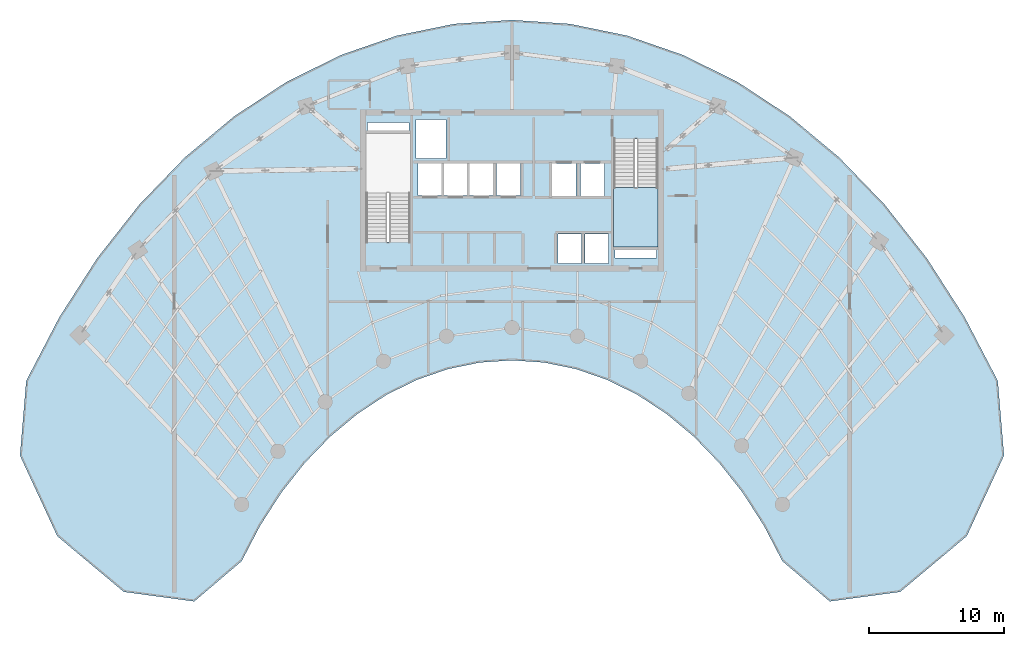
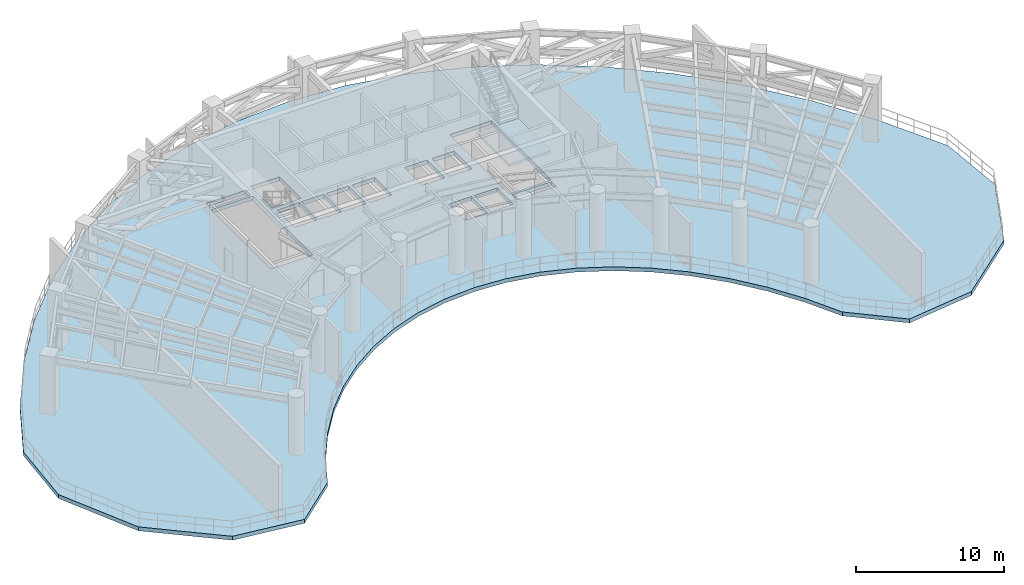
# One storey, part 4 of 19: 2 slabs, 1 element without a shape of its own.
"""IFC4 building model written with IfcOpenShell, lengths in metres."""

from ifc_helpers import new_model, si_unit, direction, frame, origin, place, context, subcontext, project, spatial, polyline, outline, extrude, material, layer, layer_set, type_object, element, aggregate, save


model = new_model("IFC4")

# Units and contexts
model_context = context("Model", 3, precision=1e-05, world=origin(), true_north=direction((0.0, 1.0)))
body_context = subcontext(model_context, "Body", "Model", "MODEL_VIEW")
ifc_project = project(units=[si_unit("LENGTHUNIT", "METRE"), si_unit("AREAUNIT", "SQUARE_METRE"), si_unit("VOLUMEUNIT", "CUBIC_METRE"), si_unit("PLANEANGLEUNIT", "RADIAN"), si_unit("MASSUNIT", "GRAM", prefix="KILO")], contexts=[model_context])

# Site, building, storey
site_placement = place(None, origin())
site = spatial("IfcSite", under=ifc_project, at=site_placement, CompositionType="ELEMENT")
building_placement = place(site_placement, origin())
building = spatial("IfcBuilding", under=site, at=building_placement, Name="Breltana Convention Tower", CompositionType="ELEMENT")
storey_placement = place(building_placement, frame((0.0, 0.0, 194.39990234375)))
storey = spatial("IfcBuildingStorey", under=building, at=storey_placement, Name="L47", CompositionType="ELEMENT", Elevation=194.39990234375)

# Slab
ifc_material_1 = material(Name="Concrete C50/60", Category="concrete")
ifc_layer_1 = layer(ifc_material_1, 0.320068359375, Name="Concrete C50/60")
ifc_layer_set_1 = layer_set([ifc_layer_1], Name="Concrete C50/60")
slab_type_1 = type_object("IfcSlabType", Name="SL-PLANT-320", PredefinedType="FLOOR", material=ifc_layer_set_1)
slab_1_placement = place(storey_placement, frame((0.0, 0.0, -0.31982421875)))
element("IfcSlab", 1, at=slab_1_placement, inside=storey, type_object=slab_type_1, Name="L47 Suspended Structural Floor Slab", PredefinedType="FLOOR", context=body_context, shape_type="SweptSolid", body=[
    extrude(outline(polyline([(83.957275390625, 52.10791015625), (81.502685546875, 56.822998046875), (78.704833984375, 61.181396484375), (75.5927734375, 65.138916015625), (72.1982421875, 68.654296875), (68.555908203125, 71.6923828125), (64.703125, 74.2216796875), (60.67919921875, 76.216064453125), (56.525634765625, 77.655517578125), (52.284912109375, 78.525146484375), (48.0, 78.81591796875), (43.715087890625, 78.525146484375), (39.474365234375, 77.655517578125), (35.32080078125, 76.216064453125), (31.296875, 74.2216796875), (27.444091796875, 71.6923828125), (23.8017578125, 68.654296875), (20.4072265625, 65.138916015625), (17.295166015625, 61.181396484375), (14.497314453125, 56.822998046875), (12.042724609375, 52.10791015625), (11.580322265625, 46.57666015625), (14.339599609375, 40.608642578125), (19.266357421875, 36.4833984375), (24.478759765625, 35.776611328125), (27.986083984375, 38.75830078125), (29.352294921875, 41.382568359375), (30.909423828125, 43.80859375), (32.6416015625, 46.01123046875), (34.53125, 47.968017578125), (36.55859375, 49.658935546875), (38.702880859375, 51.066650390625), (40.942626953125, 52.177001953125), (43.254638671875, 52.97802734375), (45.614990234375, 53.462158203125), (48.0, 53.6240234375), (50.385009765625, 53.462158203125), (52.745361328125, 52.97802734375), (55.057373046875, 52.177001953125), (57.297119140625, 51.066650390625), (59.44140625, 49.658935546875), (61.46875, 47.968017578125), (63.3583984375, 46.01123046875), (65.090576171875, 43.80859375), (66.647705078125, 41.382568359375), (68.013916015625, 38.75830078125), (71.521240234375, 35.776611328125), (76.733642578125, 36.4833984375), (81.660400390625, 40.608642578125), (84.419677734375, 46.57666015625), (83.957275390625, 52.10791015625)]), holes=[polyline([(37.199951171875, 62.385009765625), (40.469970703125, 62.385009765625), (40.469970703125, 70.39990234375), (37.199951171875, 70.39990234375), (37.199951171875, 62.385009765625)]), polyline([(55.530029296875, 62.0), (58.800048828125, 62.0), (58.800048828125, 70.014892578125), (55.530029296875, 70.014892578125), (55.530029296875, 62.0)]), polyline([(51.39990234375, 60.800048828125), (53.159912109375, 60.800048828125), (53.159912109375, 62.97998046875), (51.39990234375, 62.97998046875), (51.39990234375, 60.800048828125)]), polyline([(53.39990234375, 60.800048828125), (55.159912109375, 60.800048828125), (55.159912109375, 62.97998046875), (53.39990234375, 62.97998046875), (53.39990234375, 60.800048828125)]), polyline([(41.0400390625, 65.820068359375), (42.800048828125, 65.820068359375), (42.800048828125, 68.179931640625), (41.0400390625, 68.179931640625), (41.0400390625, 65.820068359375)]), polyline([(42.93994140625, 65.820068359375), (44.699951171875, 65.820068359375), (44.699951171875, 68.179931640625), (42.93994140625, 68.179931640625), (42.93994140625, 65.820068359375)]), polyline([(44.8701171875, 65.820068359375), (46.6298828125, 65.820068359375), (46.6298828125, 68.179931640625), (44.8701171875, 68.179931640625), (44.8701171875, 65.820068359375)]), polyline([(46.8701171875, 65.820068359375), (48.6298828125, 65.820068359375), (48.6298828125, 68.179931640625), (46.8701171875, 68.179931640625), (46.8701171875, 65.820068359375)]), polyline([(50.969970703125, 65.800048828125), (52.72998046875, 65.800048828125), (52.72998046875, 68.179931640625), (50.969970703125, 68.179931640625), (50.969970703125, 65.800048828125)]), polyline([(53.070068359375, 65.800048828125), (54.830078125, 65.800048828125), (54.830078125, 68.179931640625), (53.070068359375, 68.179931640625), (53.070068359375, 65.800048828125)]), polyline([(40.8798828125, 68.550048828125), (43.1201171875, 68.550048828125), (43.1201171875, 71.449951171875), (40.8798828125, 71.449951171875), (40.8798828125, 68.550048828125)]), polyline([(37.300048828125, 70.60009765625), (40.3798828125, 70.60009765625), (40.3798828125, 71.219970703125), (37.300048828125, 71.219970703125), (37.300048828125, 70.60009765625)]), polyline([(55.6201171875, 61.179931640625), (58.699951171875, 61.179931640625), (58.699951171875, 61.800048828125), (55.6201171875, 61.800048828125), (55.6201171875, 61.179931640625)])]), origin(), (0.0, 0.0, 1.0), 0.31982421875),
])

# Stair, slab
ifc_material_2 = material(Name="Concrete C40/50", Category="concrete")
stair_type = type_object("IfcStairType", Name="ST-DOG-1560-R171", PredefinedType="HALF_TURN_STAIR", material=ifc_material_2)
stair_placement = place(storey_placement, origin())
stair = element("IfcStair", 2, at=stair_placement, inside=storey, type_object=stair_type, Name="L47 Protected Core Exit Stair ST-2", PredefinedType="HALF_TURN_STAIR")
ifc_layer_2 = layer(ifc_material_2, 0.199951171875, Name="Concrete C40/50")
ifc_layer_set_2 = layer_set([ifc_layer_2], Name="Concrete C40/50")
slab_type_2 = type_object("IfcSlabType", Name="SL-STAIR-LANDING-200", PredefinedType="LANDING", material=ifc_layer_set_2)
slab_2_placement = place(storey_placement, frame((0.0, 0.0, 2.2001953125)))
slab_2 = element("IfcSlab", 3, at=slab_2_placement, type_object=slab_type_2, Name="ST-2 landing 1", PredefinedType="LANDING", context=body_context, shape_type="SweptSolid", body=[
    extrude(outline(polyline([(55.530029296875, 66.39990234375), (55.530029296875, 62.0), (58.800048828125, 62.0), (58.800048828125, 66.39990234375), (55.530029296875, 66.39990234375)])), origin(), (0.0, 0.0, 1.0), 0.199951171875),
])
aggregate(stair, [slab_2])

save(model, "model.ifc")
